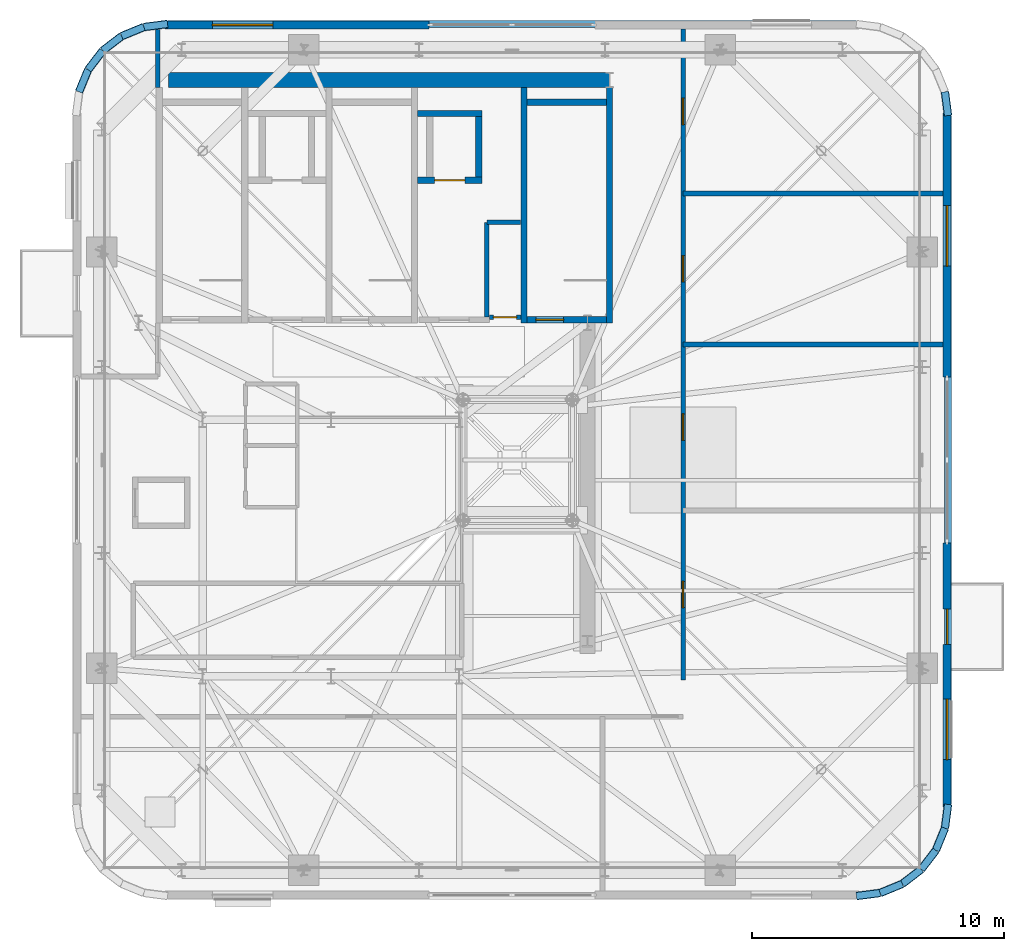
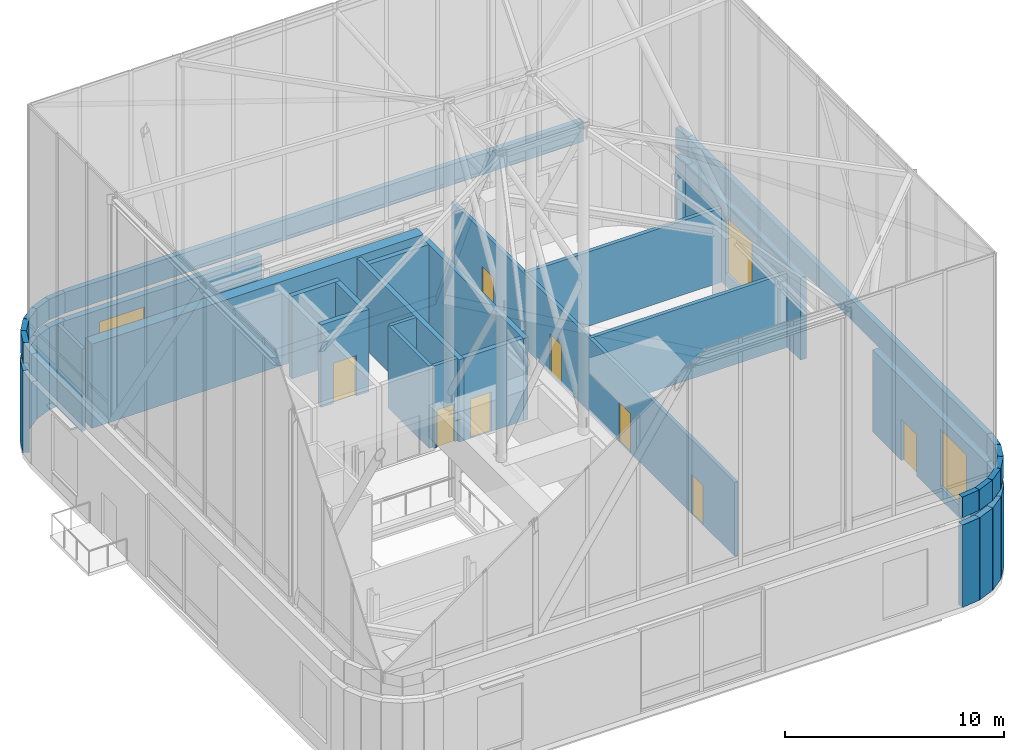
# One storey, part 13 of 15: 44 walls, 8 doors, 3 windows, 11 openings.
"""IFC4 building model written with IfcOpenShell, lengths in metres."""

from ifc_helpers import new_model, si_unit, direction, frame, frame_2d, origin, place, context, subcontext, project, spatial, rectangle, extrude, source, transform, mapped, material, layer, layer_set, type_object, element, fill, save


model = new_model("IFC4")

# Units and contexts
model_context = context("Model", 3, precision=1e-05, world=origin(), true_north=direction((0.0, 1.0)))
body_context = subcontext(model_context, "Body", "Model", "MODEL_VIEW")
ifc_project = project(units=[si_unit("LENGTHUNIT", "METRE"), si_unit("AREAUNIT", "SQUARE_METRE"), si_unit("VOLUMEUNIT", "CUBIC_METRE"), si_unit("PLANEANGLEUNIT", "RADIAN"), si_unit("MASSUNIT", "GRAM", prefix="KILO")], contexts=[model_context])

# Site, building, storey
site_placement = place(None, origin())
site = spatial("IfcSite", under=ifc_project, at=site_placement, CompositionType="ELEMENT")
building_placement = place(site_placement, origin())
building = spatial("IfcBuilding", under=site, at=building_placement, Name="Vardaveli Station Tower", CompositionType="ELEMENT")
storey_placement = place(building_placement, frame((0.0, 0.0, 301.14990234375)))
storey = spatial("IfcBuildingStorey", under=building, at=storey_placement, Name="L76", CompositionType="ELEMENT", Elevation=301.14990234375)

# Wall
ifc_material_1 = material(Name="Concrete C50/60", Category="concrete")
ifc_layer_1 = layer(ifc_material_1, 0.60009765625, Name="Concrete C50/60")
ifc_layer_set_1 = layer_set([ifc_layer_1], Name="Concrete C50/60")
wall_type_1 = type_object("IfcWallType", Name="WAL-CORE-600", PredefinedType="SHEAR", material=ifc_layer_set_1)
shared_shape_1 = source(origin(), body_context, "Body", "SweptSolid", [
    extrude(rectangle(XDim=17.52001953125, YDim=0.60009765625, at=frame_2d((8.760009765625, 0.0))), origin(), (0.0, 0.0, 1.0), 4.7001953125),
])
wall_1_placement = place(storey_placement, frame((29.85009765625, 40.300048828125, 0.0), z_axis=(0.0, 0.0, 1.0), x_axis=(1.0, 0.0, 0.0)))
element("IfcWall", 1, at=wall_1_placement, inside=storey, type_object=wall_type_1, Name="SW-L76-NORTH", PredefinedType="SHEAR", context=body_context, shape_type="MappedRepresentation", body=[
    mapped(shared_shape_1, transform((0.0, 0.0, 0.0), scale=1.0)),
])

# Wall, opening, window
ifc_material_2 = material(Name="Precast concrete C45/55", Category="concrete")
ifc_layer_2 = layer(ifc_material_2, 0.320068359375, Name="Precast concrete C45/55")
ifc_layer_set_2 = layer_set([ifc_layer_2], Name="Precast concrete C45/55")
wall_type_2 = type_object("IfcWallType", Name="WAL-EXT-STONE-320", PredefinedType="SOLIDWALL", material=ifc_layer_set_2)
shared_shape_2 = source(origin(), body_context, "Body", "SweptSolid", [
    extrude(rectangle(XDim=10.492919921875, YDim=0.320068359375, at=frame_2d((5.24658203125, 0.0))), origin(), (0.0, 0.0, 1.0), 4.60009765625),
])
wall_2_placement = place(storey_placement, frame((40.199951171875, 42.5, 0.0), z_axis=(0.0, 0.0, 1.0), x_axis=(-1.0, 0.0, 0.0)))
wall_2 = element("IfcWall", 2, at=wall_2_placement, inside=storey, type_object=wall_type_2, Name="EW-L76-N2", PredefinedType="SOLIDWALL", context=body_context, shape_type="MappedRepresentation", body=[
    mapped(shared_shape_2, transform((0.0, 0.0, 0.0), scale=1.0)),
])
shared_shape_3 = source(origin(), body_context, "Body", "SweptSolid", [
    extrude(rectangle(XDim=2.39990234375, YDim=3.199951171875, at=frame_2d((1.199951171875, 1.60009765625))), frame((0.0, 0.169921875, 0.0), z_axis=(0.0, -1.0, 0.0), x_axis=(1.0, 0.0, 0.0)), (0.0, 0.0, 1.0), 0.340087890625),
])
opening_1_placement = place(wall_2_placement, frame((6.20947265625, 0.0, 0.719970703125)))
opening_1 = element("IfcOpeningElement", 3, at=opening_1_placement, cuts=wall_2, Name="Opening W-06", PredefinedType="OPENING", context=body_context, shape_type="MappedRepresentation", body=[
    mapped(shared_shape_3, transform((0.0, 0.0, 0.0), scale=1.0)),
])
ifc_material_3 = material(Name="Low-iron tempered belvedere glass", Category="glass")
window_type = type_object("IfcWindowType", Name="WIN-OBS-2400x3200", PartitioningType="SINGLE_PANEL", PredefinedType="WINDOW", material=ifc_material_3)
shared_shape_4 = source(origin(), body_context, "Body", "SweptSolid", [
    extrude(rectangle(XDim=2.39990234375, YDim=3.199951171875, at=frame_2d((1.199951171875, 1.60009765625))), frame((0.0, 0.030029296875, 0.0), z_axis=(0.0, -1.0, 0.0), x_axis=(1.0, 0.0, 0.0)), (0.0, 0.0, 1.0), 0.06005859375),
])
window_1_placement = place(opening_1_placement, origin())
window_1 = element("IfcWindow", 4, at=window_1_placement, inside=storey, type_object=window_type, Name="WN-L76-N2", OverallHeight=3.199951171875, OverallWidth=2.39990234375, PartitioningType="SINGLE_PANEL", PredefinedType="WINDOW", context=body_context, shape_type="MappedRepresentation", body=[
    mapped(shared_shape_4, transform((0.0, 0.0, 0.0), scale=1.0)),
])
fill(opening_1, window_1)

# Wall, openings, door, window
wall_3_placement = place(storey_placement, frame((60.800048828125, 11.406982421875, 0.0), z_axis=(0.0, 0.0, 1.0), x_axis=(0.0, 1.0, 0.0)))
wall_3 = element("IfcWall", 5, at=wall_3_placement, inside=storey, type_object=wall_type_2, Name="EW-L76-E1", PredefinedType="SOLIDWALL", context=body_context, shape_type="MappedRepresentation", body=[
    mapped(shared_shape_2, transform((0.0, 0.0, 0.0), scale=1.0)),
])
shared_shape_5 = source(origin(), body_context, "Body", "SweptSolid", [
    extrude(rectangle(XDim=1.39990234375, YDim=2.300048828125, at=frame_2d((0.699951171875, 1.14990234375))), frame((0.0, 0.169921875, 0.0), z_axis=(0.0, -1.0, 0.0), x_axis=(1.0, 0.0, 0.0)), (0.0, 0.0, 1.0), 0.340087890625),
])
opening_2_placement = place(wall_3_placement, frame((6.464599609375, 0.0, 0.0)))
opening_2 = element("IfcOpeningElement", 6, at=opening_2_placement, cuts=wall_3, Name="Opening D-09", PredefinedType="OPENING", context=body_context, shape_type="MappedRepresentation", body=[
    mapped(shared_shape_5, transform((0.0, 0.0, 0.0), scale=1.0)),
])
opening_3_placement = place(wall_3_placement, frame((1.883544921875, 0.0, 0.719970703125)))
opening_3 = element("IfcOpeningElement", 7, at=opening_3_placement, cuts=wall_3, Name="Opening W-06", PredefinedType="OPENING", context=body_context, shape_type="MappedRepresentation", body=[
    mapped(shared_shape_3, transform((0.0, 0.0, 0.0), scale=1.0)),
])
ifc_material_4 = material(Name="Thermally broken aluminium glass", Category="aluminium")
door_type_1 = type_object("IfcDoorType", Name="DR-LOG-1400x2300", OperationType="DOUBLE_DOOR_SLIDING", PredefinedType="DOOR", material=ifc_material_4)
shared_shape_6 = source(origin(), body_context, "Body", "SweptSolid", [
    extrude(rectangle(XDim=1.39990234375, YDim=2.300048828125, at=frame_2d((0.699951171875, 1.14990234375))), frame((0.0, 0.02490234375, 0.0), z_axis=(0.0, -1.0, 0.0), x_axis=(1.0, 0.0, 0.0)), (0.0, 0.0, 1.0), 0.050048828125),
])
door_1_placement = place(opening_2_placement, frame((1.39990234375, 0.0, 0.0), z_axis=(0.0, 0.0, 1.0), x_axis=(-1.0, 0.0, 0.0)))
door_1 = element("IfcDoor", 8, at=door_1_placement, inside=storey, type_object=door_type_1, Name="DLG-L76-E", OperationType="DOUBLE_DOOR_SLIDING", OverallHeight=2.300048828125, OverallWidth=1.39990234375, PredefinedType="DOOR", context=body_context, shape_type="MappedRepresentation", body=[
    mapped(shared_shape_6, transform((0.0, 0.0, 0.0), scale=1.0)),
])
fill(opening_2, door_1)
window_2_placement = place(opening_3_placement, origin())
window_2 = element("IfcWindow", 9, at=window_2_placement, inside=storey, type_object=window_type, Name="WN-L76-E1", OverallHeight=3.199951171875, OverallWidth=2.39990234375, PartitioningType="SINGLE_PANEL", PredefinedType="WINDOW", context=body_context, shape_type="MappedRepresentation", body=[
    mapped(shared_shape_4, transform((0.0, 0.0, 0.0), scale=1.0)),
])
fill(opening_3, window_2)

# Wall, opening, window
wall_4_placement = place(storey_placement, frame((60.800048828125, 28.5, 0.0), z_axis=(0.0, 0.0, 1.0), x_axis=(0.0, 1.0, 0.0)))
wall_4 = element("IfcWall", 10, at=wall_4_placement, inside=storey, type_object=wall_type_2, Name="EW-L76-E2", PredefinedType="SOLIDWALL", context=body_context, shape_type="MappedRepresentation", body=[
    mapped(shared_shape_2, transform((0.0, 0.0, 0.0), scale=1.0)),
])
opening_4_placement = place(wall_4_placement, frame((4.409423828125, 0.0, 0.719970703125)))
opening_4 = element("IfcOpeningElement", 11, at=opening_4_placement, cuts=wall_4, Name="Opening W-06", PredefinedType="OPENING", context=body_context, shape_type="MappedRepresentation", body=[
    mapped(shared_shape_3, transform((0.0, 0.0, 0.0), scale=1.0)),
])
window_3_placement = place(opening_4_placement, origin())
window_3 = element("IfcWindow", 12, at=window_3_placement, inside=storey, type_object=window_type, Name="WN-L76-E2", OverallHeight=3.199951171875, OverallWidth=2.39990234375, PartitioningType="SINGLE_PANEL", PredefinedType="WINDOW", context=body_context, shape_type="MappedRepresentation", body=[
    mapped(shared_shape_4, transform((0.0, 0.0, 0.0), scale=1.0)),
])
fill(opening_4, window_3)

# Walls
shared_shape_7 = source(origin(), body_context, "Body", "SweptSolid", [
    extrude(rectangle(XDim=0.952392578125, YDim=0.320068359375, at=frame_2d((0.47607421875, 0.0))), origin(), (0.0, 0.0, 1.0), 4.60009765625),
])
for number, where, z_axis, x_axis, name in (
    (13, (57.19384765625, 7.865478515625, 0.0), (0.0, 0.0, 1.0), (0.991850128376, 0.127410057845, 0.0), "EW-L76-CR2-1"),
    (14, (60.713134765625, 10.5615234375, 0.0), (0.0, 0.0, 1.0), (0.127410057845, 0.991850128376, 0.0), "EW-L76-CR2-6"),
    (15, (60.83447265625, 38.893798828125, 0.0), (0.0, 0.0, 1.0), (-0.127410057845, 0.991850128376, 0.0), "EW-L76-CR3-1"),
    (16, (29.80615234375, 42.534423828125, 0.0), (0.0, 0.0, 1.0), (-0.991850128376, -0.127410057845, 0.0), "EW-L76-CR4-1"),
):
    element("IfcWall", number, at=place(storey_placement, frame(where, z_axis=z_axis, x_axis=x_axis)), inside=storey, type_object=wall_type_2, Name=name, PredefinedType="SOLIDWALL", context=body_context, shape_type="MappedRepresentation", body=[
        mapped(shared_shape_7, transform((0.0, 0.0, 0.0), scale=1.0)),
    ])
shared_shape_8 = source(origin(), body_context, "Body", "SweptSolid", [
    extrude(rectangle(XDim=0.951171875, YDim=0.320068359375, at=frame_2d((0.4755859375, 0.0))), origin(), (0.0, 0.0, 1.0), 4.60009765625),
])
for number, where, z_axis, x_axis, name in (
    (17, (58.138427734375, 7.98681640625, 0.0), (0.0, 0.0, 1.0), (0.924731243055, 0.380620714252, 0.0), "EW-L76-CR2-2"),
    (18, (60.35107421875, 9.681884765625, 0.0), (0.0, 0.0, 1.0), (0.380620714252, 0.924731243055, 0.0), "EW-L76-CR2-5"),
    (19, (28.861572265625, 42.4130859375, 0.0), (0.0, 0.0, 1.0), (-0.924731243055, -0.380620714252, 0.0), "EW-L76-CR4-2"),
    (20, (26.64892578125, 40.718017578125, 0.0), (0.0, 0.0, 1.0), (-0.380620714252, -0.924731243055, 0.0), "EW-L76-CR4-5"),
):
    element("IfcWall", number, at=place(storey_placement, frame(where, z_axis=z_axis, x_axis=x_axis)), inside=storey, type_object=wall_type_2, Name=name, PredefinedType="SOLIDWALL", context=body_context, shape_type="MappedRepresentation", body=[
        mapped(shared_shape_8, transform((0.0, 0.0, 0.0), scale=1.0)),
    ])
shared_shape_9 = source(origin(), body_context, "Body", "SweptSolid", [
    extrude(rectangle(XDim=0.95068359375, YDim=0.320068359375, at=frame_2d((0.475341796875, 0.0))), origin(), (0.0, 0.0, 1.0), 4.60009765625),
])
for number, where, z_axis, x_axis, name in (
    (21, (59.01806640625, 8.348876953125, 0.0), (0.0, 0.0, 1.0), (0.793701408056, 0.608307549558, 0.0), "EW-L76-CR2-3"),
    (22, (59.772705078125, 8.92724609375, 0.0), (0.0, 0.0, 1.0), (0.608307549558, 0.793701408056, 0.0), "EW-L76-CR2-4"),
    (23, (27.98193359375, 42.051025390625, 0.0), (0.0, 0.0, 1.0), (-0.793825387185, -0.608145751166, 0.0), "EW-L76-CR4-3"),
):
    element("IfcWall", number, at=place(storey_placement, frame(where, z_axis=z_axis, x_axis=x_axis)), inside=storey, type_object=wall_type_2, Name=name, PredefinedType="SOLIDWALL", context=body_context, shape_type="MappedRepresentation", body=[
        mapped(shared_shape_9, transform((0.0, 0.0, 0.0), scale=1.0)),
    ])
shared_shape_10 = source(origin(), body_context, "Body", "SweptSolid", [
    extrude(rectangle(XDim=0.950927734375, YDim=0.320068359375, at=frame_2d((0.4755859375, 0.0))), origin(), (0.0, 0.0, 1.0), 4.60009765625),
])
wall_5_placement = place(storey_placement, frame((27.227294921875, 41.472900390625, 0.0), z_axis=(0.0, 0.0, 1.0), x_axis=(-0.608183591152, -0.793796396725, 0.0)))
element("IfcWall", 24, at=wall_5_placement, inside=storey, type_object=wall_type_2, Name="EW-L76-CR4-4", PredefinedType="SOLIDWALL", context=body_context, shape_type="MappedRepresentation", body=[
    mapped(shared_shape_10, transform((0.0, 0.0, 0.0), scale=1.0)),
])
ifc_layer_3 = layer(ifc_material_2, 0.280029296875, Name="Precast concrete C45/55")
ifc_layer_set_3 = layer_set([ifc_layer_3], Name="Precast concrete C45/55")
wall_type_3 = type_object("IfcWallType", Name="WAL-PARAPET-280", PredefinedType="SOLIDWALL", material=ifc_layer_set_3)
shared_shape_11 = source(origin(), body_context, "Body", "SweptSolid", [
    extrude(rectangle(XDim=0.952392578125, YDim=0.280029296875, at=frame_2d((0.47607421875, 0.0))), origin(), (0.0, 0.0, 1.0), 1.150146484375),
])
for number, where, z_axis, x_axis, name in (
    (25, (57.19384765625, 7.865478515625, 5.0), (0.0, 0.0, 1.0), (0.991850128376, 0.127410057845, 0.0), "PW-L76-COL-08"),
    (26, (60.713134765625, 10.5615234375, 5.0), (0.0, 0.0, 1.0), (0.127410057845, 0.991850128376, 0.0), "PW-L76-COL-13"),
    (27, (60.83447265625, 38.893798828125, 5.0), (0.0, 0.0, 1.0), (-0.127410057845, 0.991850128376, 0.0), "PW-L76-COL-15"),
    (28, (29.80615234375, 42.534423828125, 5.0), (0.0, 0.0, 1.0), (-0.991850128376, -0.127410057845, 0.0), "PW-L76-COL-22"),
):
    element("IfcWall", number, at=place(storey_placement, frame(where, z_axis=z_axis, x_axis=x_axis)), inside=storey, type_object=wall_type_3, Name=name, PredefinedType="SOLIDWALL", context=body_context, shape_type="MappedRepresentation", body=[
        mapped(shared_shape_11, transform((0.0, 0.0, 0.0), scale=1.0)),
    ])
shared_shape_12 = source(origin(), body_context, "Body", "SweptSolid", [
    extrude(rectangle(XDim=0.951171875, YDim=0.280029296875, at=frame_2d((0.4755859375, 0.0))), origin(), (0.0, 0.0, 1.0), 1.150146484375),
])
for number, where, z_axis, x_axis, name in (
    (29, (58.138427734375, 7.98681640625, 5.0), (0.0, 0.0, 1.0), (0.924731243055, 0.380620714252, 0.0), "PW-L76-COL-09"),
    (30, (60.35107421875, 9.681884765625, 5.0), (0.0, 0.0, 1.0), (0.380620714252, 0.924731243055, 0.0), "PW-L76-COL-12"),
    (31, (28.861572265625, 42.4130859375, 5.0), (0.0, 0.0, 1.0), (-0.924731243055, -0.380620714252, 0.0), "PW-L76-COL-23"),
    (32, (26.64892578125, 40.718017578125, 5.0), (0.0, 0.0, 1.0), (-0.380620714252, -0.924731243055, 0.0), "PW-L76-COL-26"),
):
    element("IfcWall", number, at=place(storey_placement, frame(where, z_axis=z_axis, x_axis=x_axis)), inside=storey, type_object=wall_type_3, Name=name, PredefinedType="SOLIDWALL", context=body_context, shape_type="MappedRepresentation", body=[
        mapped(shared_shape_12, transform((0.0, 0.0, 0.0), scale=1.0)),
    ])
shared_shape_13 = source(origin(), body_context, "Body", "SweptSolid", [
    extrude(rectangle(XDim=0.95068359375, YDim=0.280029296875, at=frame_2d((0.475341796875, 0.0))), origin(), (0.0, 0.0, 1.0), 1.150146484375),
])
for number, where, z_axis, x_axis, name in (
    (33, (59.01806640625, 8.348876953125, 5.0), (0.0, 0.0, 1.0), (0.793701408056, 0.608307549558, 0.0), "PW-L76-COL-10"),
    (34, (59.772705078125, 8.92724609375, 5.0), (0.0, 0.0, 1.0), (0.608307549558, 0.793701408056, 0.0), "PW-L76-COL-11"),
    (35, (27.98193359375, 42.051025390625, 5.0), (0.0, 0.0, 1.0), (-0.793825387185, -0.608145751166, 0.0), "PW-L76-COL-24"),
):
    element("IfcWall", number, at=place(storey_placement, frame(where, z_axis=z_axis, x_axis=x_axis)), inside=storey, type_object=wall_type_3, Name=name, PredefinedType="SOLIDWALL", context=body_context, shape_type="MappedRepresentation", body=[
        mapped(shared_shape_13, transform((0.0, 0.0, 0.0), scale=1.0)),
    ])
shared_shape_14 = source(origin(), body_context, "Body", "SweptSolid", [
    extrude(rectangle(XDim=27.3876953125, YDim=0.280029296875, at=frame_2d((13.69384765625, 0.0))), origin(), (0.0, 0.0, 1.0), 1.150146484375),
])
for number, where, z_axis, x_axis, name in (
    (36, (60.83447265625, 11.506103515625, 5.0), (0.0, 0.0, 1.0), (0.0, 1.0, 0.0), "PW-L76-COL-14"),
    (37, (57.19384765625, 42.534423828125, 5.0), (0.0, 0.0, 1.0), (-1.0, 0.0, 0.0), "PW-L76-COL-21"),
):
    element("IfcWall", number, at=place(storey_placement, frame(where, z_axis=z_axis, x_axis=x_axis)), inside=storey, type_object=wall_type_3, Name=name, PredefinedType="SOLIDWALL", context=body_context, shape_type="MappedRepresentation", body=[
        mapped(shared_shape_14, transform((0.0, 0.0, 0.0), scale=1.0)),
    ])
shared_shape_15 = source(origin(), body_context, "Body", "SweptSolid", [
    extrude(rectangle(XDim=0.950927734375, YDim=0.280029296875, at=frame_2d((0.4755859375, 0.0))), origin(), (0.0, 0.0, 1.0), 1.150146484375),
])
wall_6_placement = place(storey_placement, frame((27.227294921875, 41.472900390625, 5.0), z_axis=(0.0, 0.0, 1.0), x_axis=(-0.608183591152, -0.793796396725, 0.0)))
element("IfcWall", 38, at=wall_6_placement, inside=storey, type_object=wall_type_3, Name="PW-L76-COL-25", PredefinedType="SOLIDWALL", context=body_context, shape_type="MappedRepresentation", body=[
    mapped(shared_shape_15, transform((0.0, 0.0, 0.0), scale=1.0)),
])
ifc_material_5 = material(Name="Concrete C40/50", Category="concrete")
ifc_layer_4 = layer(ifc_material_5, 0.25, Name="Concrete C40/50")
ifc_layer_set_4 = layer_set([ifc_layer_4], Name="Concrete C40/50")
wall_type_4 = type_object("IfcWallType", Name="WAL-SHAFT-250", PredefinedType="SOLIDWALL", material=ifc_layer_set_4)
shared_shape_16 = source(origin(), body_context, "Body", "SweptSolid", [
    extrude(rectangle(XDim=9.35009765625, YDim=0.25, at=frame_2d((4.675048828125, 0.0))), origin(), (0.0, 0.0, 1.0), 4.60009765625),
])
for number, where, z_axis, x_axis, name in (
    (39, (43.97509765625, 30.64990234375, 0.0), (0.0, 0.0, 1.0), (0.0, 1.0, 0.0), "W-L76-ST-3W"),
    (40, (47.375, 30.64990234375, 0.0), (0.0, 0.0, 1.0), (0.0, 1.0, 0.0), "W-L76-ST-3E"),
):
    element("IfcWall", number, at=place(storey_placement, frame(where, z_axis=z_axis, x_axis=x_axis)), inside=storey, type_object=wall_type_4, Name=name, PredefinedType="SOLIDWALL", context=body_context, shape_type="MappedRepresentation", body=[
        mapped(shared_shape_16, transform((0.0, 0.0, 0.0), scale=1.0)),
    ])
shared_shape_17 = source(origin(), body_context, "Body", "SweptSolid", [
    extrude(rectangle(XDim=3.14990234375, YDim=0.25, at=frame_2d((1.574951171875, 0.0))), origin(), (0.0, 0.0, 1.0), 4.60009765625),
])
wall_7_placement = place(storey_placement, frame((44.10009765625, 39.425048828125, 0.0), z_axis=(0.0, 0.0, 1.0), x_axis=(1.0, 0.0, 0.0)))
element("IfcWall", 41, at=wall_7_placement, inside=storey, type_object=wall_type_4, Name="W-L76-ST-3N", PredefinedType="SOLIDWALL", context=body_context, shape_type="MappedRepresentation", body=[
    mapped(shared_shape_17, transform((0.0, 0.0, 0.0), scale=1.0)),
])

# Wall, opening, door
wall_8_placement = place(storey_placement, frame((44.10009765625, 30.77490234375, 0.0), z_axis=(0.0, 0.0, 1.0), x_axis=(1.0, 0.0, 0.0)))
wall_8 = element("IfcWall", 42, at=wall_8_placement, inside=storey, type_object=wall_type_4, Name="W-L76-ST-3S", PredefinedType="SOLIDWALL", context=body_context, shape_type="MappedRepresentation", body=[
    mapped(shared_shape_17, transform((0.0, 0.0, 0.0), scale=1.0)),
])
shared_shape_18 = source(origin(), body_context, "Body", "SweptSolid", [
    extrude(rectangle(XDim=1.10009765625, YDim=2.199951171875, at=frame_2d((0.550048828125, 1.10009765625))), frame((0.0, 0.135009765625, 0.0), z_axis=(0.0, -1.0, 0.0), x_axis=(1.0, 0.0, 0.0)), (0.0, 0.0, 1.0), 0.27001953125),
])
opening_5_placement = place(wall_8_placement, frame((0.35009765625, 0.0, 0.0)))
opening_5 = element("IfcOpeningElement", 43, at=opening_5_placement, cuts=wall_8, Name="Opening D-04", PredefinedType="OPENING", context=body_context, shape_type="MappedRepresentation", body=[
    mapped(shared_shape_18, transform((0.0, 0.0, 0.0), scale=1.0)),
])
ifc_material_6 = material(Name="Steel smokeproof fire doorset", Category="steel")
door_type_2 = type_object("IfcDoorType", Name="DR-ST-1100x2200", OperationType="NOTDEFINED", PredefinedType="DOOR", material=ifc_material_6)
shared_shape_19 = source(origin(), body_context, "Body", "SweptSolid", [
    extrude(rectangle(XDim=1.10009765625, YDim=2.199951171875, at=frame_2d((0.550048828125, 1.10009765625))), frame((0.0, 0.02490234375, 0.0), z_axis=(0.0, -1.0, 0.0), x_axis=(1.0, 0.0, 0.0)), (0.0, 0.0, 1.0), 0.050048828125),
])
door_2_placement = place(opening_5_placement, origin())
door_2 = element("IfcDoor", 44, at=door_2_placement, inside=storey, type_object=door_type_2, Name="DST-3-L76", OperationType="SINGLE_SWING_LEFT", OverallHeight=2.199951171875, OverallWidth=1.10009765625, PredefinedType="DOOR", context=body_context, shape_type="MappedRepresentation", body=[
    mapped(shared_shape_19, transform((0.0, 0.0, 0.0), scale=1.0)),
])
fill(opening_5, door_2)

# Wall
shared_shape_20 = source(origin(), body_context, "Body", "SweptSolid", [
    extrude(rectangle(XDim=2.400146484375, YDim=0.25, at=frame_2d((1.2001953125, 0.0))), origin(), (0.0, 0.0, 1.0), 4.60009765625),
])
wall_9_placement = place(storey_placement, frame((42.175048828125, 36.449951171875, 0.0), z_axis=(0.0, 0.0, 1.0), x_axis=(0.0, 1.0, 0.0)))
element("IfcWall", 45, at=wall_9_placement, inside=storey, type_object=wall_type_4, Name="SHW-FFL-02-L76-E", PredefinedType="SOLIDWALL", context=body_context, shape_type="MappedRepresentation", body=[
    mapped(shared_shape_20, transform((0.0, 0.0, 0.0), scale=1.0)),
])

# Wall, opening, door
shared_shape_21 = source(origin(), body_context, "Body", "SweptSolid", [
    extrude(rectangle(XDim=2.550048828125, YDim=0.25, at=frame_2d((1.27490234375, 0.0))), origin(), (0.0, 0.0, 1.0), 4.60009765625),
])
wall_10_placement = place(storey_placement, frame((39.75, 36.324951171875, 0.0), z_axis=(0.0, 0.0, 1.0), x_axis=(1.0, 0.0, 0.0)))
wall_10 = element("IfcWall", 46, at=wall_10_placement, inside=storey, type_object=wall_type_4, Name="SHW-FFL-02-L76-S", PredefinedType="SOLIDWALL", context=body_context, shape_type="MappedRepresentation", body=[
    mapped(shared_shape_21, transform((0.0, 0.0, 0.0), scale=1.0)),
])
shared_shape_22 = source(origin(), body_context, "Body", "SweptSolid", [
    extrude(rectangle(XDim=1.199951171875, YDim=2.25, at=frame_2d((0.60009765625, 1.125))), frame((0.0, 0.135009765625, 0.0), z_axis=(0.0, -1.0, 0.0), x_axis=(1.0, 0.0, 0.0)), (0.0, 0.0, 1.0), 0.27001953125),
])
opening_6_placement = place(wall_10_placement, frame((0.675048828125, 0.0, 0.0)))
opening_6 = element("IfcOpeningElement", 47, at=opening_6_placement, cuts=wall_10, Name="Opening LD-02", PredefinedType="OPENING", context=body_context, shape_type="MappedRepresentation", body=[
    mapped(shared_shape_22, transform((0.0, 0.0, 0.0), scale=1.0)),
])
ifc_material_7 = material(Name="Brushed stainless steel", Category="steel")
door_type_3 = type_object("IfcDoorType", Name="DR-LD-1200x2250", OperationType="DOUBLE_DOOR_SLIDING", PredefinedType="DOOR", material=ifc_material_7)
shared_shape_23 = source(origin(), body_context, "Body", "SweptSolid", [
    extrude(rectangle(XDim=1.199951171875, YDim=2.25, at=frame_2d((0.60009765625, 1.125))), frame((0.0, 0.02490234375, 0.0), z_axis=(0.0, -1.0, 0.0), x_axis=(1.0, 0.0, 0.0)), (0.0, 0.0, 1.0), 0.050048828125),
])
door_3_placement = place(opening_6_placement, origin())
door_3 = element("IfcDoor", 48, at=door_3_placement, inside=storey, type_object=door_type_3, Name="LD-FFL-02-L76", OperationType="DOUBLE_DOOR_SLIDING", OverallHeight=2.25, OverallWidth=1.199951171875, PredefinedType="DOOR", context=body_context, shape_type="MappedRepresentation", body=[
    mapped(shared_shape_23, transform((0.0, 0.0, 0.0), scale=1.0)),
])
fill(opening_6, door_3)

# Wall
wall_11_placement = place(storey_placement, frame((39.75, 38.97509765625, 0.0), z_axis=(0.0, 0.0, 1.0), x_axis=(1.0, 0.0, 0.0)))
element("IfcWall", 49, at=wall_11_placement, inside=storey, type_object=wall_type_4, Name="SHW-FFL-02-L76-N", PredefinedType="SOLIDWALL", context=body_context, shape_type="MappedRepresentation", body=[
    mapped(shared_shape_21, transform((0.0, 0.0, 0.0), scale=1.0)),
])

# Wall, openings, doors
ifc_material_8 = material(Name="Fire-rated gypsum stud partition")
ifc_layer_5 = layer(ifc_material_8, 0.179931640625, Name="Fire-rated gypsum stud partition")
ifc_layer_set_5 = layer_set([ifc_layer_5], Name="Fire-rated gypsum stud partition")
wall_type_5 = type_object("IfcWallType", Name="WAL-CORR-180", PredefinedType="PARTITIONING", material=ifc_layer_set_5)
shared_shape_24 = source(origin(), body_context, "Body", "SweptSolid", [
    extrude(rectangle(XDim=25.887939453125, YDim=0.179931640625, at=frame_2d((12.94384765625, 0.0))), origin(), (0.0, 0.0, 1.0), 4.14208984375),
])
wall_12_placement = place(storey_placement, frame((50.300048828125, 16.449951171875, 0.0), z_axis=(0.0, 0.0, 1.0), x_axis=(0.0, 1.0, 0.0)))
wall_12 = element("IfcWall", 50, at=wall_12_placement, inside=storey, type_object=wall_type_5, Name="W-L76-EW", PredefinedType="PARTITIONING", context=body_context, shape_type="MappedRepresentation", body=[
    mapped(shared_shape_24, transform((0.0, 0.0, 0.0), scale=1.0)),
])
shared_shape_25 = source(origin(), body_context, "Body", "SweptSolid", [
    extrude(rectangle(XDim=1.050048828125, YDim=2.199951171875, at=frame_2d((0.52490234375, 1.10009765625))), frame((0.0, 0.10009765625, 0.0), z_axis=(0.0, -1.0, 0.0), x_axis=(1.0, 0.0, 0.0)), (0.0, 0.0, 1.0), 0.199951171875),
])
opening_7_placement = place(wall_12_placement, frame((2.8798828125, 0.0, 0.0)))
opening_7 = element("IfcOpeningElement", 51, at=opening_7_placement, cuts=wall_12, Name="Opening D-05", PredefinedType="OPENING", context=body_context, shape_type="MappedRepresentation", body=[
    mapped(shared_shape_25, transform((0.0, 0.0, 0.0), scale=1.0)),
])
opening_8_placement = place(wall_12_placement, frame((9.530029296875, 0.0, 0.0)))
opening_8 = element("IfcOpeningElement", 52, at=opening_8_placement, cuts=wall_12, Name="Opening D-05", PredefinedType="OPENING", context=body_context, shape_type="MappedRepresentation", body=[
    mapped(shared_shape_25, transform((0.0, 0.0, 0.0), scale=1.0)),
])
opening_9_placement = place(wall_12_placement, frame((15.830078125, 0.0, 0.0)))
opening_9 = element("IfcOpeningElement", 53, at=opening_9_placement, cuts=wall_12, Name="Opening D-05", PredefinedType="OPENING", context=body_context, shape_type="MappedRepresentation", body=[
    mapped(shared_shape_25, transform((0.0, 0.0, 0.0), scale=1.0)),
])
opening_10_placement = place(wall_12_placement, frame((22.0849609375, 0.0, 0.0)))
opening_10 = element("IfcOpeningElement", 54, at=opening_10_placement, cuts=wall_12, Name="Opening D-05", PredefinedType="OPENING", context=body_context, shape_type="MappedRepresentation", body=[
    mapped(shared_shape_25, transform((0.0, 0.0, 0.0), scale=1.0)),
])
ifc_material_9 = material(Name="Walnut veneer acoustic fire door")
door_type_4 = type_object("IfcDoorType", Name="DR-SUITE-1050x2200", OperationType="NOTDEFINED", PredefinedType="DOOR", material=ifc_material_9)
shared_shape_26 = source(origin(), body_context, "Body", "SweptSolid", [
    extrude(rectangle(XDim=1.050048828125, YDim=2.199951171875, at=frame_2d((0.52490234375, 1.10009765625))), frame((0.0, 0.02490234375, 0.0), z_axis=(0.0, -1.0, 0.0), x_axis=(1.0, 0.0, 0.0)), (0.0, 0.0, 1.0), 0.050048828125),
])
door_4_placement = place(opening_7_placement, origin())
door_4 = element("IfcDoor", 55, at=door_4_placement, inside=storey, type_object=door_type_4, Name="D-L76-OB3", OperationType="SINGLE_SWING_RIGHT", OverallHeight=2.199951171875, OverallWidth=1.050048828125, PredefinedType="DOOR", context=body_context, shape_type="MappedRepresentation", body=[
    mapped(shared_shape_26, transform((0.0, 0.0, 0.0), scale=1.0)),
])
fill(opening_7, door_4)
door_5_placement = place(opening_8_placement, origin())
door_5 = element("IfcDoor", 56, at=door_5_placement, inside=storey, type_object=door_type_4, Name="D-L76-OB4", OperationType="SINGLE_SWING_LEFT", OverallHeight=2.199951171875, OverallWidth=1.050048828125, PredefinedType="DOOR", context=body_context, shape_type="MappedRepresentation", body=[
    mapped(shared_shape_26, transform((0.0, 0.0, 0.0), scale=1.0)),
])
fill(opening_8, door_5)
door_6_placement = place(opening_9_placement, origin())
door_6 = element("IfcDoor", 57, at=door_6_placement, inside=storey, type_object=door_type_4, Name="D-L76-OB5", OperationType="SINGLE_SWING_RIGHT", OverallHeight=2.199951171875, OverallWidth=1.050048828125, PredefinedType="DOOR", context=body_context, shape_type="MappedRepresentation", body=[
    mapped(shared_shape_26, transform((0.0, 0.0, 0.0), scale=1.0)),
])
fill(opening_9, door_6)
door_7_placement = place(opening_10_placement, origin())
door_7 = element("IfcDoor", 58, at=door_7_placement, inside=storey, type_object=door_type_4, Name="D-L76-OB6", OperationType="SINGLE_SWING_LEFT", OverallHeight=2.199951171875, OverallWidth=1.050048828125, PredefinedType="DOOR", context=body_context, shape_type="MappedRepresentation", body=[
    mapped(shared_shape_26, transform((0.0, 0.0, 0.0), scale=1.0)),
])
fill(opening_10, door_7)

# Wall
shared_shape_27 = source(origin(), body_context, "Body", "SweptSolid", [
    extrude(rectangle(XDim=2.321533203125, YDim=0.179931640625, at=frame_2d((1.16064453125, 0.0))), origin(), (0.0, 0.0, 1.0), 4.60009765625),
])
wall_13_placement = place(storey_placement, frame((29.419921875, 40.0, 0.0), z_axis=(0.0, 0.0, 1.0), x_axis=(0.0, 1.0, 0.0)))
element("IfcWall", 59, at=wall_13_placement, inside=storey, type_object=wall_type_5, Name="W-L76-OBNW-E-P2", PredefinedType="PARTITIONING", context=body_context, shape_type="MappedRepresentation", body=[
    mapped(shared_shape_27, transform((0.0, 0.0, 0.0), scale=1.0)),
])

# Wall, opening, door
shared_shape_28 = source(origin(), body_context, "Body", "SweptSolid", [
    extrude(rectangle(XDim=1.247802734375, YDim=0.179931640625, at=frame_2d((0.6240234375, 0.0))), origin(), (0.0, 0.0, 1.0), 4.60009765625),
])
wall_14_placement = place(storey_placement, frame((42.60009765625, 30.8798828125, 0.0), z_axis=(0.0, 0.0, 1.0), x_axis=(1.0, 0.0, 0.0)))
wall_14 = element("IfcWall", 60, at=wall_14_placement, inside=storey, type_object=wall_type_5, Name="W-L76-CBS0-S", PredefinedType="PARTITIONING", context=body_context, shape_type="MappedRepresentation", body=[
    mapped(shared_shape_28, transform((0.0, 0.0, 0.0), scale=1.0)),
])
shared_shape_29 = source(origin(), body_context, "Body", "SweptSolid", [
    extrude(rectangle(XDim=0.919921875, YDim=2.10009765625, at=frame_2d((0.4599609375, 1.050048828125))), frame((0.0, 0.10009765625, 0.0), z_axis=(0.0, -1.0, 0.0), x_axis=(1.0, 0.0, 0.0)), (0.0, 0.0, 1.0), 0.199951171875),
])
opening_11_placement = place(wall_14_placement, frame((0.1640625, 0.0, 0.0)))
opening_11 = element("IfcOpeningElement", 61, at=opening_11_placement, cuts=wall_14, Name="Opening D-07", PredefinedType="OPENING", context=body_context, shape_type="MappedRepresentation", body=[
    mapped(shared_shape_29, transform((0.0, 0.0, 0.0), scale=1.0)),
])
ifc_material_10 = material(Name="Moisture-resistant hardwood door", Category="wood")
door_type_5 = type_object("IfcDoorType", Name="DR-WC-920x2100", OperationType="NOTDEFINED", PredefinedType="DOOR", material=ifc_material_10)
shared_shape_30 = source(origin(), body_context, "Body", "SweptSolid", [
    extrude(rectangle(XDim=0.919921875, YDim=2.10009765625, at=frame_2d((0.4599609375, 1.050048828125))), frame((0.0, 0.02490234375, 0.0), z_axis=(0.0, -1.0, 0.0), x_axis=(1.0, 0.0, 0.0)), (0.0, 0.0, 1.0), 0.050048828125),
])
door_8_placement = place(opening_11_placement, origin())
door_8 = element("IfcDoor", 62, at=door_8_placement, inside=storey, type_object=door_type_5, Name="D-L76-CBS0", OperationType="SINGLE_SWING_LEFT", OverallHeight=2.10009765625, OverallWidth=0.919921875, PredefinedType="DOOR", context=body_context, shape_type="MappedRepresentation", body=[
    mapped(shared_shape_30, transform((0.0, 0.0, 0.0), scale=1.0)),
])
fill(opening_11, door_8)

# Walls
ifc_material_11 = material(Name="Acoustic twin-stud gypsum partition")
ifc_layer_6 = layer(ifc_material_11, 0.199951171875, Name="Acoustic twin-stud gypsum partition")
ifc_layer_set_6 = layer_set([ifc_layer_6], Name="Acoustic twin-stud gypsum partition")
wall_type_6 = type_object("IfcWallType", Name="WAL-PARTY-200", PredefinedType="PARTITIONING", material=ifc_layer_set_6)
shared_shape_31 = source(origin(), body_context, "Body", "SweptSolid", [
    extrude(rectangle(XDim=10.337890625, YDim=0.199951171875, at=frame_2d((5.1689453125, 0.0))), origin(), (0.0, 0.0, 1.0), 4.14208984375),
])
for number, where, z_axis, x_axis, name in (
    (63, (50.300048828125, 29.800048828125, 0.0), (0.0, 0.0, 1.0), (1.0, 0.0, 0.0), "W-L76-EM2"),
    (64, (50.300048828125, 35.800048828125, 0.0), (0.0, 0.0, 1.0), (1.0, 0.0, 0.0), "W-L76-EM3"),
):
    element("IfcWall", number, at=place(storey_placement, frame(where, z_axis=z_axis, x_axis=x_axis)), inside=storey, type_object=wall_type_6, Name=name, PredefinedType="PARTITIONING", context=body_context, shape_type="MappedRepresentation", body=[
        mapped(shared_shape_31, transform((0.0, 0.0, 0.0), scale=1.0)),
    ])
shared_shape_32 = source(origin(), body_context, "Body", "SweptSolid", [
    extrude(rectangle(XDim=3.7578125, YDim=0.179931640625, at=frame_2d((1.87890625, 0.0))), origin(), (0.0, 0.0, 1.0), 4.60009765625),
])
wall_15_placement = place(storey_placement, frame((42.5, 30.89208984375, 0.0), z_axis=(0.0, 0.0, 1.0), x_axis=(0.0, 1.0, 0.0)))
element("IfcWall", 65, at=wall_15_placement, inside=storey, type_object=wall_type_5, Name="W-L76-CBS0-W", PredefinedType="PARTITIONING", context=body_context, shape_type="MappedRepresentation", body=[
    mapped(shared_shape_32, transform((0.0, 0.0, 0.0), scale=1.0)),
])
shared_shape_33 = source(origin(), body_context, "Body", "SweptSolid", [
    extrude(rectangle(XDim=1.347900390625, YDim=0.179931640625, at=frame_2d((0.673828125, 0.0))), origin(), (0.0, 0.0, 1.0), 4.60009765625),
])
wall_16_placement = place(storey_placement, frame((42.5, 34.64990234375, 0.0), z_axis=(0.0, 0.0, 1.0), x_axis=(1.0, 0.0, 0.0)))
element("IfcWall", 66, at=wall_16_placement, inside=storey, type_object=wall_type_5, Name="W-L76-CBS0-N", PredefinedType="PARTITIONING", context=body_context, shape_type="MappedRepresentation", body=[
    mapped(shared_shape_33, transform((0.0, 0.0, 0.0), scale=1.0)),
])

save(model, "model.ifc")
